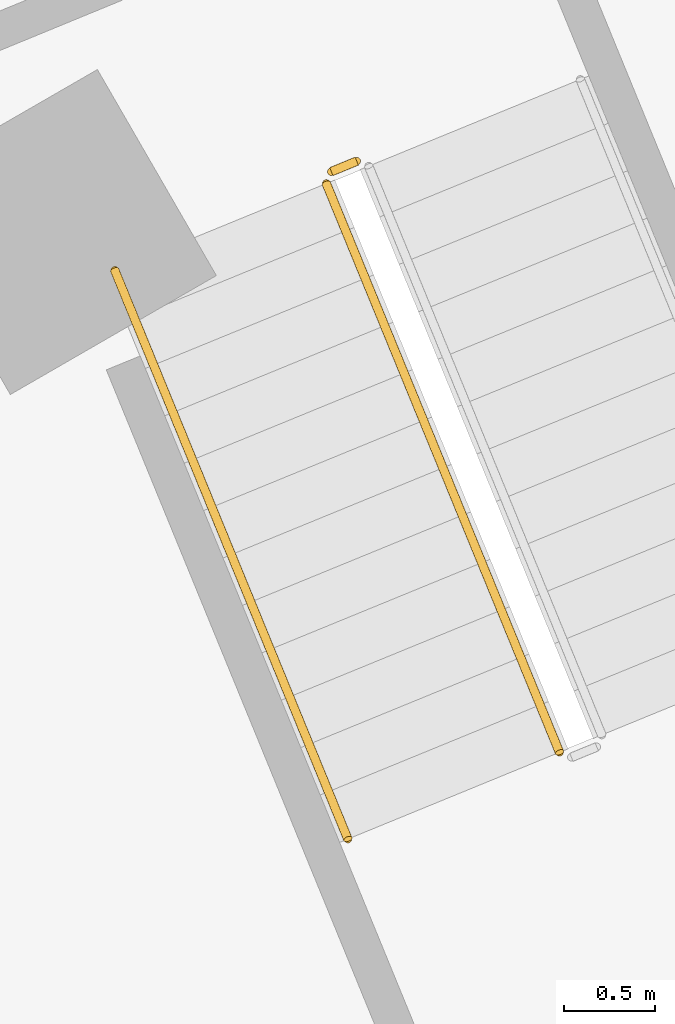
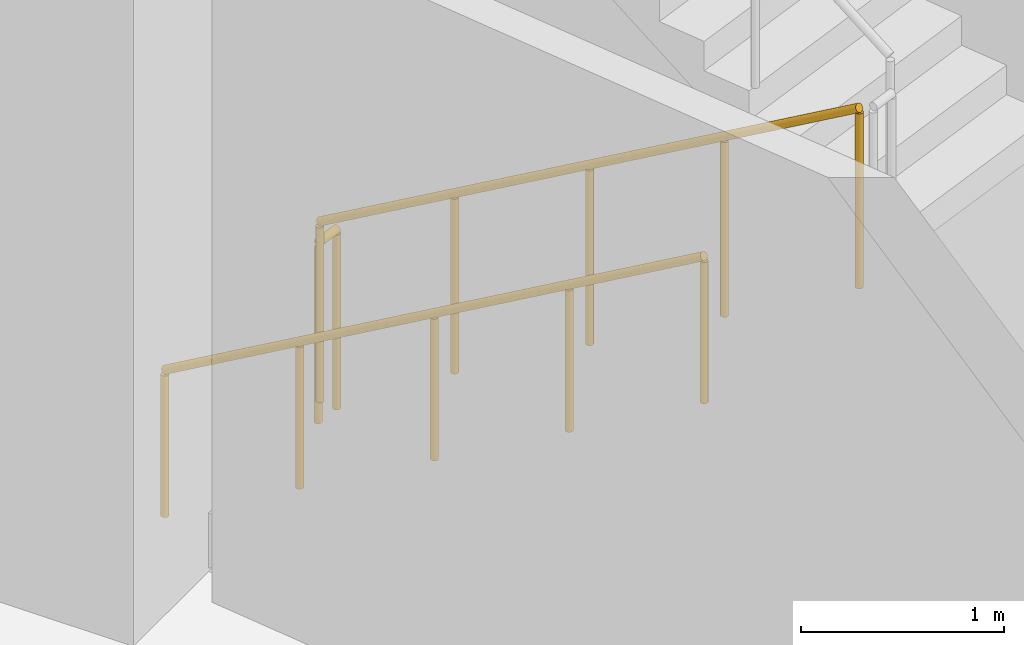
# One storey, part 37 of 40: 3 railings.
"""IFC4 building model written with IfcOpenShell, lengths in metres."""

from ifc_helpers import new_model, si_unit, direction, frame, origin, origin_2d, place, context, subcontext, project, spatial, circle, extrude, material, type_object, element, save


model = new_model("IFC4")

# Units and contexts
model_context = context("Model", 3, precision=1e-05, world=origin(), true_north=direction((0.0, 1.0)))
body_context = subcontext(model_context, "Body", "Model", "MODEL_VIEW")
ifc_project = project(units=[si_unit("LENGTHUNIT", "METRE"), si_unit("AREAUNIT", "SQUARE_METRE"), si_unit("VOLUMEUNIT", "CUBIC_METRE"), si_unit("PLANEANGLEUNIT", "RADIAN"), si_unit("MASSUNIT", "GRAM", prefix="KILO")], contexts=[model_context])

# Site, building, storey
site_placement = place(None, origin())
site = spatial("IfcSite", under=ifc_project, at=site_placement, CompositionType="ELEMENT")
building_placement = place(site_placement, origin())
building = spatial("IfcBuilding", under=site, at=building_placement, Name="Stone Belt Terrace Tower", CompositionType="ELEMENT")
storey_placement = place(building_placement, frame((0.0, 0.0, 7.0)))
storey = spatial("IfcBuildingStorey", under=building, at=storey_placement, Name="L01", CompositionType="ELEMENT", Elevation=7.0)

# Railings
ifc_material_1 = material(Name="Steel balustrade", Category="steel")
railing_type_1 = type_object("IfcRailingType", Name="Podium stair guard", PredefinedType="GUARDRAIL", material=ifc_material_1)
railing_1_placement = place(storey_placement, frame((58.204345703125, 33.009521484375, 0.177001953125)))
element("IfcRailing", 1, at=railing_1_placement, inside=storey, type_object=railing_type_1, Name="L01 PS4 stair guard 1", PredefinedType="GUARDRAIL", context=body_context, shape_type="SweptSolid", body=[
    extrude(circle(Radius=0.02392578125, at=origin_2d()), frame((0.0, 0.0, 1.076171875), z_axis=(0.320647790343, -0.782208613453, 0.534167276785), x_axis=(0.925275877227, 0.379294807533, 0.0)), (0.0, 0.0, 1.0), 3.974609375),
    extrude(circle(Radius=0.02099609375, at=origin_2d()), origin(), (0.0, 0.0, 1.0), 1.052001953125),
    extrude(circle(Radius=0.02099609375, at=origin_2d()), frame((0.318603515625, -0.77734375, 0.53076171875)), (0.0, 0.0, 1.0), 1.052001953125),
    extrude(circle(Radius=0.02099609375, at=origin_2d()), frame((0.63720703125, -1.554443359375, 1.0615234375)), (0.0, 0.0, 1.0), 1.052001953125),
    extrude(circle(Radius=0.02099609375, at=origin_2d()), frame((0.955810546875, -2.33154296875, 1.59228515625)), (0.0, 0.0, 1.0), 1.052001953125),
    extrude(circle(Radius=0.02099609375, at=origin_2d()), frame((1.2744140625, -3.10888671875, 2.123046875)), (0.0, 0.0, 1.0), 1.052001953125),
])
railing_2_placement = place(storey_placement, frame((58.231689453125, 33.07470703125, 0.0)))
element("IfcRailing", 2, at=railing_2_placement, inside=storey, type_object=railing_type_1, Name="L01 PS4 stair guard 4", PredefinedType="GUARDRAIL", context=body_context, shape_type="SweptSolid", body=[
    extrude(circle(Radius=0.02392578125, at=origin_2d()), frame((0.0, 0.0, 1.076171875), z_axis=(0.925417366351, 0.378949466362, 0.0), x_axis=(-0.378949466362, 0.925417366351, 0.0)), (0.0, 0.0, 1.0), 0.150146484375),
    extrude(circle(Radius=0.02099609375, at=origin_2d()), origin(), (0.0, 0.0, 1.0), 1.052001953125),
    extrude(circle(Radius=0.02099609375, at=origin_2d()), frame((0.138916015625, 0.056884765625, 0.0)), (0.0, 0.0, 1.0), 1.052001953125),
])
ifc_material_2 = material(Name="Stainless steel handrail", Category="steel")
railing_type_2 = type_object("IfcRailingType", Name="Podium stair handrail", PredefinedType="HANDRAIL", material=ifc_material_2)
railing_3_placement = place(storey_placement, frame((57.0478515625, 32.535400390625, 0.177001953125)))
element("IfcRailing", 3, at=railing_3_placement, inside=storey, type_object=railing_type_2, Name="L01 PS4 stair handrail 1", PredefinedType="HANDRAIL", context=body_context, shape_type="SweptSolid", body=[
    extrude(circle(Radius=0.02392578125, at=origin_2d()), frame((0.0, 0.0, 0.8759765625), z_axis=(0.320592677529, -0.782224019096, 0.53417779724), x_axis=(0.925301376681, 0.379232596584, 0.0)), (0.0, 0.0, 1.0), 3.974365234375),
    extrude(circle(Radius=0.02099609375, at=origin_2d()), origin(), (0.0, 0.0, 1.0), 0.851806640625),
    extrude(circle(Radius=0.02099609375, at=origin_2d()), frame((0.318603515625, -0.77734375, 0.53076171875)), (0.0, 0.0, 1.0), 0.851806640625),
    extrude(circle(Radius=0.02099609375, at=origin_2d()), frame((0.63720703125, -1.554443359375, 1.0615234375)), (0.0, 0.0, 1.0), 0.851806640625),
    extrude(circle(Radius=0.02099609375, at=origin_2d()), frame((0.95556640625, -2.33154296875, 1.59228515625)), (0.0, 0.0, 1.0), 0.851806640625),
    extrude(circle(Radius=0.02099609375, at=origin_2d()), frame((1.274169921875, -3.10888671875, 2.123046875)), (0.0, 0.0, 1.0), 0.851806640625),
])

save(model, "model.ifc")
